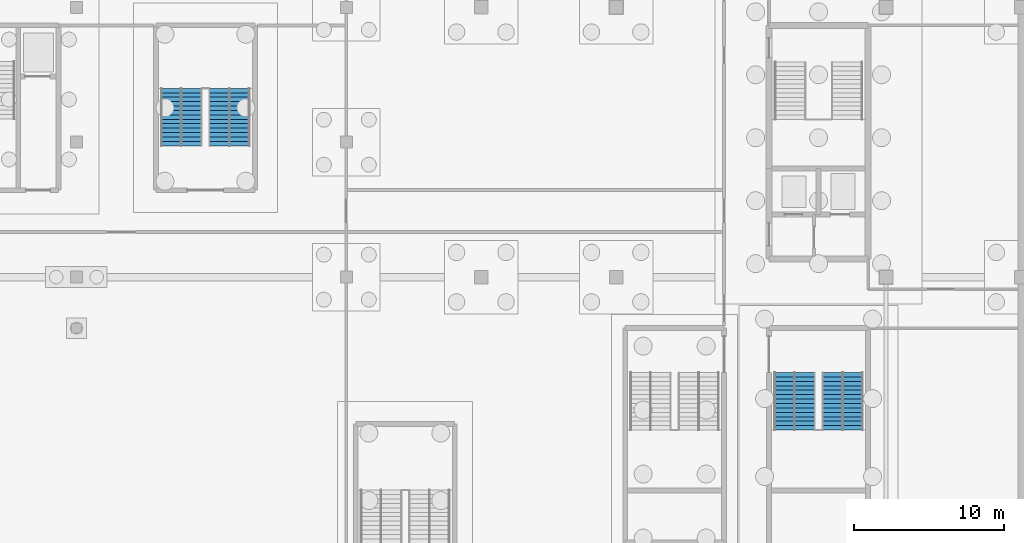
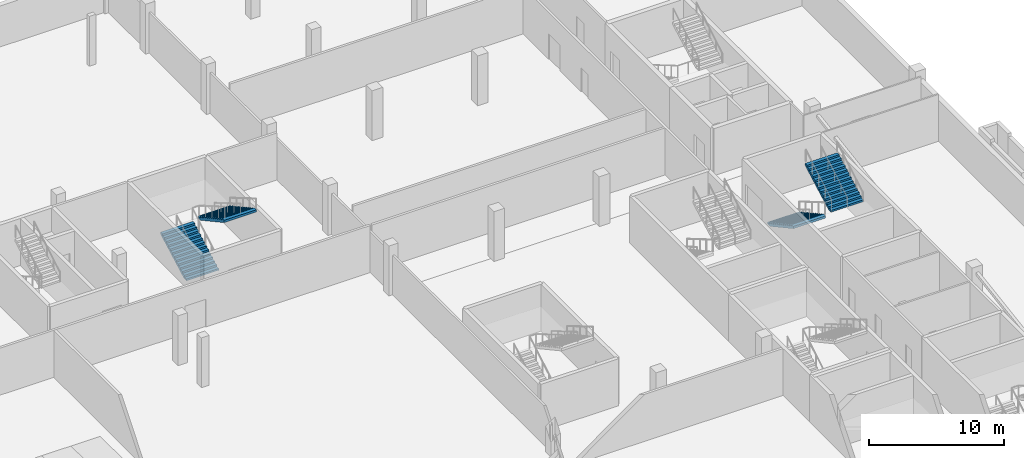
# One storey, part 38 of 46: 4 stair flights, 2 elements without a shape of their own.
"""IFC4 building model written with IfcOpenShell, lengths in metres."""

from ifc_helpers import new_model, si_unit, direction, frame, origin, place, context, subcontext, project, spatial, polygons, material, type_object, element, aggregate, save


model = new_model("IFC4")

# Units and contexts
model_context = context("Model", 3, precision=1e-05, world=origin(), true_north=direction((0.0, 1.0)))
body_context = subcontext(model_context, "Body", "Model", "MODEL_VIEW")
ifc_project = project(units=[si_unit("LENGTHUNIT", "METRE"), si_unit("AREAUNIT", "SQUARE_METRE"), si_unit("VOLUMEUNIT", "CUBIC_METRE"), si_unit("PLANEANGLEUNIT", "RADIAN"), si_unit("MASSUNIT", "GRAM", prefix="KILO")], contexts=[model_context])

# Site, building, storey
site_placement = place(None, origin())
site = spatial("IfcSite", under=ifc_project, at=site_placement, CompositionType="ELEMENT")
building_placement = place(site_placement, origin())
building = spatial("IfcBuilding", under=site, at=building_placement, Name="Kisiwana Market Hall", CompositionType="ELEMENT")
storey_placement = place(building_placement, frame((0.0, 0.0, -4.5)))
storey = spatial("IfcBuildingStorey", under=building, at=storey_placement, Name="B1", CompositionType="ELEMENT", Elevation=-4.5)

# Stair, stair flights
ifc_material_1 = material(Name="Concrete C32/40", Category="concrete")
stair_type = type_object("IfcStairType", Name="ST-ESC-4500", PredefinedType="TWO_STRAIGHT_RUN_STAIR", material=ifc_material_1)
stair_1_placement = place(storey_placement, origin())
stair_1 = element("IfcStair", 1, at=stair_1_placement, inside=storey, type_object=stair_type, Name="Escape stair ST-E4-B1", PredefinedType="TWO_STRAIGHT_RUN_STAIR")
ifc_material_2 = material(Name="Concrete C32/40", Category="concrete")
stair_flight_type = type_object("IfcStairFlightType", Name="SF-ESC-4500", PredefinedType="STRAIGHT", material=ifc_material_2)
stair_flight_1_placement = place(storey_placement, frame((182.889892578125, 77.639892578125, 0.0), z_axis=(0.0, 0.0, 1.0), x_axis=(0.0, -1.0, 0.0)))
stair_flight_1 = element("IfcStairFlight", 2, at=stair_flight_1_placement, type_object=stair_flight_type, Name="ST-E4-B1 flight 1", NumberOfRisers=14, NumberOfTreads=13, PredefinedType="STRAIGHT", RiserHeight=0.160714, TreadLength=0.295, context=body_context, shape_type="Tessellation", body=[
    polygons([(0.0, -1.380127, 0.0), (0.0, -0.690125, 0.0), (0.0, -0.000122, 0.0), (0.0, 0.68988, 0.0), (0.0, 1.379883, 0.0), (0.0, -1.380127, 0.160645), (0.0, -0.690125, 0.160645), (0.0, -0.000122, 0.160645), (0.0, 0.68988, 0.160645), (0.0, 1.379883, 0.160645), (0.294922, -1.380127, 0.160645), (0.294922, -0.690125, 0.160645), (0.294922, -0.000122, 0.160645), (0.294922, 0.68988, 0.160645), (0.294922, 1.379883, 0.160645), (0.294922, -1.380127, 0.321533), (0.294922, -0.690125, 0.321533), (0.294922, -0.000122, 0.321533), (0.294922, 0.68988, 0.321533), (0.294922, 1.379883, 0.321533), (0.590088, -1.380127, 0.321533), (0.590088, -0.690125, 0.321533), (0.590088, -0.000122, 0.321533), (0.590088, 0.68988, 0.321533), (0.590088, 1.379883, 0.321533), (0.590088, -1.380127, 0.482178), (0.590088, -0.690125, 0.482178), (0.590088, -0.000122, 0.482178), (0.590088, 0.68988, 0.482178), (0.590088, 1.379883, 0.482178), (0.88501, -1.380127, 0.482178), (0.88501, -0.690125, 0.482178), (0.88501, -0.000122, 0.482178), (0.88501, 0.68988, 0.482178), (0.88501, 1.379883, 0.482178), (0.88501, -1.380127, 0.642822), (0.88501, -0.690125, 0.642822), (0.88501, -0.000122, 0.642822), (0.88501, 0.68988, 0.642822), (0.88501, 1.379883, 0.642822), (1.179932, -1.380127, 0.642822), (1.179932, -0.690125, 0.642822), (1.179932, -0.000122, 0.642822), (1.179932, 0.68988, 0.642822), (1.179932, 1.379883, 0.642822), (1.179932, -1.380127, 0.803467), (1.179932, -0.690125, 0.803467), (1.179932, -0.000122, 0.803467), (1.179932, 0.68988, 0.803467), (1.179932, 1.379883, 0.803467), (1.475098, -1.380127, 0.803467), (1.475098, -0.690125, 0.803467), (1.475098, -0.000122, 0.803467), (1.475098, 0.68988, 0.803467), (1.475098, 1.379883, 0.803467), (1.475098, -1.380127, 0.964355), (1.475098, -0.690125, 0.964355), (1.475098, -0.000122, 0.964355), (1.475098, 0.68988, 0.964355), (1.475098, 1.379883, 0.964355), (1.77002, -1.380127, 0.964355), (1.77002, -0.690125, 0.964355), (1.77002, -0.000122, 0.964355), (1.77002, 0.68988, 0.964355), (1.77002, 1.379883, 0.964355), (1.77002, -1.380127, 1.125), (1.77002, -0.690125, 1.125), (1.77002, -0.000122, 1.125), (1.77002, 0.68988, 1.125), (1.77002, 1.379883, 1.125), (2.064941, -1.380127, 1.125), (2.064941, -0.690125, 1.125), (2.064941, -0.000122, 1.125), (2.064941, 0.68988, 1.125), (2.064941, 1.379883, 1.125), (2.064941, -1.380127, 1.285645), (2.064941, -0.690125, 1.285645), (2.064941, -0.000122, 1.285645), (2.064941, 0.68988, 1.285645), (2.064941, 1.379883, 1.285645), (2.360107, -1.380127, 1.285645), (2.360107, -0.690125, 1.285645), (2.360107, -0.000122, 1.285645), (2.360107, 0.68988, 1.285645), (2.360107, 1.379883, 1.285645), (2.360107, -1.380127, 1.446533), (2.360107, -0.690125, 1.446533), (2.360107, -0.000122, 1.446533), (2.360107, 0.68988, 1.446533), (2.360107, 1.379883, 1.446533), (2.655029, -1.380127, 1.446533), (2.655029, -0.690125, 1.446533), (2.655029, -0.000122, 1.446533), (2.655029, 0.68988, 1.446533), (2.655029, 1.379883, 1.446533), (2.655029, -1.380127, 1.607178), (2.655029, -0.690125, 1.607178), (2.655029, -0.000122, 1.607178), (2.655029, 0.68988, 1.607178), (2.655029, 1.379883, 1.607178), (2.949951, -1.380127, 1.607178), (2.949951, -0.690125, 1.607178), (2.949951, -0.000122, 1.607178), (2.949951, 0.68988, 1.607178), (2.949951, 1.379883, 1.607178), (2.949951, -1.380127, 1.767822), (2.949951, -0.690125, 1.767822), (2.949951, -0.000122, 1.767822), (2.949951, 0.68988, 1.767822), (2.949951, 1.379883, 1.767822), (3.245117, -1.380127, 1.767822), (3.245117, -0.690125, 1.767822), (3.245117, -0.000122, 1.767822), (3.245117, 0.68988, 1.767822), (3.245117, 1.379883, 1.767822), (3.245117, -1.380127, 1.928467), (3.245117, -0.690125, 1.928467), (3.245117, -0.000122, 1.928467), (3.245117, 0.68988, 1.928467), (3.245117, 1.379883, 1.928467), (3.540039, -1.380127, 1.928467), (3.540039, -0.690125, 1.928467), (3.540039, -0.000122, 1.928467), (3.540039, 0.68988, 1.928467), (3.540039, 1.379883, 1.928467), (3.540039, -1.380127, 2.089355), (3.540039, -0.690125, 2.089355), (3.540039, -0.000122, 2.089355), (3.540039, 0.68988, 2.089355), (3.540039, 1.379883, 2.089355), (3.834961, -1.380127, 2.089355), (3.834961, -0.690125, 2.089355), (3.834961, -0.000122, 2.089355), (3.834961, 0.68988, 2.089355), (3.834961, 1.379883, 2.089355), (3.834961, -1.380127, 1.884277), (3.834961, -0.690125, 1.884277), (3.834961, -0.000122, 1.884277), (3.834961, 0.68988, 1.884277), (3.834961, 1.379883, 1.884277), (0.376221, -1.380127, 0.0), (0.376221, -0.690125, 0.0), (0.376221, -0.000122, 0.0), (0.376221, 0.68988, 0.0), (0.376221, 1.379883, 0.0)], [[[1, 6, 7, 2]], [[2, 7, 8, 3]], [[3, 8, 9, 4]], [[4, 9, 10, 5]], [[6, 11, 12, 7]], [[7, 12, 13, 8]], [[8, 13, 14, 9]], [[9, 14, 15, 10]], [[11, 16, 17, 12]], [[12, 17, 18, 13]], [[13, 18, 19, 14]], [[14, 19, 20, 15]], [[16, 21, 22, 17]], [[17, 22, 23, 18]], [[18, 23, 24, 19]], [[19, 24, 25, 20]], [[21, 26, 27, 22]], [[22, 27, 28, 23]], [[23, 28, 29, 24]], [[24, 29, 30, 25]], [[26, 31, 32, 27]], [[27, 32, 33, 28]], [[28, 33, 34, 29]], [[29, 34, 35, 30]], [[31, 36, 37, 32]], [[32, 37, 38, 33]], [[33, 38, 39, 34]], [[34, 39, 40, 35]], [[36, 41, 42, 37]], [[37, 42, 43, 38]], [[38, 43, 44, 39]], [[39, 44, 45, 40]], [[41, 46, 47, 42]], [[42, 47, 48, 43]], [[43, 48, 49, 44]], [[44, 49, 50, 45]], [[46, 51, 52, 47]], [[47, 52, 53, 48]], [[48, 53, 54, 49]], [[49, 54, 55, 50]], [[51, 56, 57, 52]], [[52, 57, 58, 53]], [[53, 58, 59, 54]], [[54, 59, 60, 55]], [[56, 61, 62, 57]], [[57, 62, 63, 58]], [[58, 63, 64, 59]], [[59, 64, 65, 60]], [[61, 66, 67, 62]], [[62, 67, 68, 63]], [[63, 68, 69, 64]], [[64, 69, 70, 65]], [[66, 71, 72, 67]], [[67, 72, 73, 68]], [[68, 73, 74, 69]], [[69, 74, 75, 70]], [[71, 76, 77, 72]], [[72, 77, 78, 73]], [[73, 78, 79, 74]], [[74, 79, 80, 75]], [[76, 81, 82, 77]], [[77, 82, 83, 78]], [[78, 83, 84, 79]], [[79, 84, 85, 80]], [[81, 86, 87, 82]], [[82, 87, 88, 83]], [[83, 88, 89, 84]], [[84, 89, 90, 85]], [[86, 91, 92, 87]], [[87, 92, 93, 88]], [[88, 93, 94, 89]], [[89, 94, 95, 90]], [[91, 96, 97, 92]], [[92, 97, 98, 93]], [[93, 98, 99, 94]], [[94, 99, 100, 95]], [[96, 101, 102, 97]], [[97, 102, 103, 98]], [[98, 103, 104, 99]], [[99, 104, 105, 100]], [[101, 106, 107, 102]], [[102, 107, 108, 103]], [[103, 108, 109, 104]], [[104, 109, 110, 105]], [[106, 111, 112, 107]], [[107, 112, 113, 108]], [[108, 113, 114, 109]], [[109, 114, 115, 110]], [[111, 116, 117, 112]], [[112, 117, 118, 113]], [[113, 118, 119, 114]], [[114, 119, 120, 115]], [[116, 121, 122, 117]], [[117, 122, 123, 118]], [[118, 123, 124, 119]], [[119, 124, 125, 120]], [[121, 126, 127, 122]], [[122, 127, 128, 123]], [[123, 128, 129, 124]], [[124, 129, 130, 125]], [[126, 131, 132, 127]], [[127, 132, 133, 128]], [[128, 133, 134, 129]], [[129, 134, 135, 130]], [[131, 136, 137, 132]], [[132, 137, 138, 133]], [[133, 138, 139, 134]], [[134, 139, 140, 135]], [[136, 141, 142, 137]], [[137, 142, 143, 138]], [[138, 143, 144, 139]], [[139, 144, 145, 140]], [[141, 1, 2, 142]], [[142, 2, 3, 143]], [[143, 3, 4, 144]], [[144, 4, 5, 145]], [[141, 136, 131, 126, 121, 116, 111, 106, 101, 96, 91, 86, 81, 76, 71, 66, 61, 56, 51, 46, 41, 36, 31, 26, 21, 16, 11, 6, 1]], [[5, 10, 15, 20, 25, 30, 35, 40, 45, 50, 55, 60, 65, 70, 75, 80, 85, 90, 95, 100, 105, 110, 115, 120, 125, 130, 135, 140, 145]]], closed=True),
])
stair_flight_2_placement = place(storey_placement, frame((186.110107421875, 73.804931640625, 2.25), z_axis=(0.0, 0.0, 1.0), x_axis=(0.0, 1.0, 0.0)))
stair_flight_2 = element("IfcStairFlight", 3, at=stair_flight_2_placement, type_object=stair_flight_type, Name="ST-E4-B1 flight 2", NumberOfRisers=14, NumberOfTreads=13, PredefinedType="STRAIGHT", RiserHeight=0.160714, TreadLength=0.295, context=body_context, shape_type="Tessellation", body=[
    polygons([(0.0, -1.380127, 0.0), (0.0, -0.690125, 0.0), (0.0, -0.000122, 0.0), (0.0, 0.68988, 0.0), (0.0, 1.379883, 0.0), (0.0, -1.380127, 0.160645), (0.0, -0.690125, 0.160645), (0.0, -0.000122, 0.160645), (0.0, 0.68988, 0.160645), (0.0, 1.379883, 0.160645), (0.294922, -1.380127, 0.160645), (0.294922, -0.690125, 0.160645), (0.294922, -0.000122, 0.160645), (0.294922, 0.68988, 0.160645), (0.294922, 1.379883, 0.160645), (0.294922, -1.380127, 0.321533), (0.294922, -0.690125, 0.321533), (0.294922, -0.000122, 0.321533), (0.294922, 0.68988, 0.321533), (0.294922, 1.379883, 0.321533), (0.590088, -1.380127, 0.321533), (0.590088, -0.690125, 0.321533), (0.590088, -0.000122, 0.321533), (0.590088, 0.68988, 0.321533), (0.590088, 1.379883, 0.321533), (0.590088, -1.380127, 0.482178), (0.590088, -0.690125, 0.482178), (0.590088, -0.000122, 0.482178), (0.590088, 0.68988, 0.482178), (0.590088, 1.379883, 0.482178), (0.88501, -1.380127, 0.482178), (0.88501, -0.690125, 0.482178), (0.88501, -0.000122, 0.482178), (0.88501, 0.68988, 0.482178), (0.88501, 1.379883, 0.482178), (0.88501, -1.380127, 0.642822), (0.88501, -0.690125, 0.642822), (0.88501, -0.000122, 0.642822), (0.88501, 0.68988, 0.642822), (0.88501, 1.379883, 0.642822), (1.179932, -1.380127, 0.642822), (1.179932, -0.690125, 0.642822), (1.179932, -0.000122, 0.642822), (1.179932, 0.68988, 0.642822), (1.179932, 1.379883, 0.642822), (1.179932, -1.380127, 0.803467), (1.179932, -0.690125, 0.803467), (1.179932, -0.000122, 0.803467), (1.179932, 0.68988, 0.803467), (1.179932, 1.379883, 0.803467), (1.475098, -1.380127, 0.803467), (1.475098, -0.690125, 0.803467), (1.475098, -0.000122, 0.803467), (1.475098, 0.68988, 0.803467), (1.475098, 1.379883, 0.803467), (1.475098, -1.380127, 0.964355), (1.475098, -0.690125, 0.964355), (1.475098, -0.000122, 0.964355), (1.475098, 0.68988, 0.964355), (1.475098, 1.379883, 0.964355), (1.77002, -1.380127, 0.964355), (1.77002, -0.690125, 0.964355), (1.77002, -0.000122, 0.964355), (1.77002, 0.68988, 0.964355), (1.77002, 1.379883, 0.964355), (1.77002, -1.380127, 1.125), (1.77002, -0.690125, 1.125), (1.77002, -0.000122, 1.125), (1.77002, 0.68988, 1.125), (1.77002, 1.379883, 1.125), (2.064941, -1.380127, 1.125), (2.064941, -0.690125, 1.125), (2.064941, -0.000122, 1.125), (2.064941, 0.68988, 1.125), (2.064941, 1.379883, 1.125), (2.064941, -1.380127, 1.285645), (2.064941, -0.690125, 1.285645), (2.064941, -0.000122, 1.285645), (2.064941, 0.68988, 1.285645), (2.064941, 1.379883, 1.285645), (2.360107, -1.380127, 1.285645), (2.360107, -0.690125, 1.285645), (2.360107, -0.000122, 1.285645), (2.360107, 0.68988, 1.285645), (2.360107, 1.379883, 1.285645), (2.360107, -1.380127, 1.446533), (2.360107, -0.690125, 1.446533), (2.360107, -0.000122, 1.446533), (2.360107, 0.68988, 1.446533), (2.360107, 1.379883, 1.446533), (2.655029, -1.380127, 1.446533), (2.655029, -0.690125, 1.446533), (2.655029, -0.000122, 1.446533), (2.655029, 0.68988, 1.446533), (2.655029, 1.379883, 1.446533), (2.655029, -1.380127, 1.607178), (2.655029, -0.690125, 1.607178), (2.655029, -0.000122, 1.607178), (2.655029, 0.68988, 1.607178), (2.655029, 1.379883, 1.607178), (2.949951, -1.380127, 1.607178), (2.949951, -0.690125, 1.607178), (2.949951, -0.000122, 1.607178), (2.949951, 0.68988, 1.607178), (2.949951, 1.379883, 1.607178), (2.949951, -1.380127, 1.767822), (2.949951, -0.690125, 1.767822), (2.949951, -0.000122, 1.767822), (2.949951, 0.68988, 1.767822), (2.949951, 1.379883, 1.767822), (3.245117, -1.380127, 1.767822), (3.245117, -0.690125, 1.767822), (3.245117, -0.000122, 1.767822), (3.245117, 0.68988, 1.767822), (3.245117, 1.379883, 1.767822), (3.245117, -1.380127, 1.928467), (3.245117, -0.690125, 1.928467), (3.245117, -0.000122, 1.928467), (3.245117, 0.68988, 1.928467), (3.245117, 1.379883, 1.928467), (3.540039, -1.380127, 1.928467), (3.540039, -0.690125, 1.928467), (3.540039, -0.000122, 1.928467), (3.540039, 0.68988, 1.928467), (3.540039, 1.379883, 1.928467), (3.540039, -1.380127, 2.089355), (3.540039, -0.690125, 2.089355), (3.540039, -0.000122, 2.089355), (3.540039, 0.68988, 2.089355), (3.540039, 1.379883, 2.089355), (3.834961, -1.380127, 2.089355), (3.834961, -0.690125, 2.089355), (3.834961, -0.000122, 2.089355), (3.834961, 0.68988, 2.089355), (3.834961, 1.379883, 2.089355), (3.834961, -1.380127, 1.884277), (3.834961, -0.690125, 1.884277), (3.834961, -0.000122, 1.884277), (3.834961, 0.68988, 1.884277), (3.834961, 1.379883, 1.884277), (0.376221, -1.380127, 0.0), (0.376221, -0.690125, 0.0), (0.376221, -0.000122, 0.0), (0.376221, 0.68988, 0.0), (0.376221, 1.379883, 0.0)], [[[1, 6, 7, 2]], [[2, 7, 8, 3]], [[3, 8, 9, 4]], [[4, 9, 10, 5]], [[6, 11, 12, 7]], [[7, 12, 13, 8]], [[8, 13, 14, 9]], [[9, 14, 15, 10]], [[11, 16, 17, 12]], [[12, 17, 18, 13]], [[13, 18, 19, 14]], [[14, 19, 20, 15]], [[16, 21, 22, 17]], [[17, 22, 23, 18]], [[18, 23, 24, 19]], [[19, 24, 25, 20]], [[21, 26, 27, 22]], [[22, 27, 28, 23]], [[23, 28, 29, 24]], [[24, 29, 30, 25]], [[26, 31, 32, 27]], [[27, 32, 33, 28]], [[28, 33, 34, 29]], [[29, 34, 35, 30]], [[31, 36, 37, 32]], [[32, 37, 38, 33]], [[33, 38, 39, 34]], [[34, 39, 40, 35]], [[36, 41, 42, 37]], [[37, 42, 43, 38]], [[38, 43, 44, 39]], [[39, 44, 45, 40]], [[41, 46, 47, 42]], [[42, 47, 48, 43]], [[43, 48, 49, 44]], [[44, 49, 50, 45]], [[46, 51, 52, 47]], [[47, 52, 53, 48]], [[48, 53, 54, 49]], [[49, 54, 55, 50]], [[51, 56, 57, 52]], [[52, 57, 58, 53]], [[53, 58, 59, 54]], [[54, 59, 60, 55]], [[56, 61, 62, 57]], [[57, 62, 63, 58]], [[58, 63, 64, 59]], [[59, 64, 65, 60]], [[61, 66, 67, 62]], [[62, 67, 68, 63]], [[63, 68, 69, 64]], [[64, 69, 70, 65]], [[66, 71, 72, 67]], [[67, 72, 73, 68]], [[68, 73, 74, 69]], [[69, 74, 75, 70]], [[71, 76, 77, 72]], [[72, 77, 78, 73]], [[73, 78, 79, 74]], [[74, 79, 80, 75]], [[76, 81, 82, 77]], [[77, 82, 83, 78]], [[78, 83, 84, 79]], [[79, 84, 85, 80]], [[81, 86, 87, 82]], [[82, 87, 88, 83]], [[83, 88, 89, 84]], [[84, 89, 90, 85]], [[86, 91, 92, 87]], [[87, 92, 93, 88]], [[88, 93, 94, 89]], [[89, 94, 95, 90]], [[91, 96, 97, 92]], [[92, 97, 98, 93]], [[93, 98, 99, 94]], [[94, 99, 100, 95]], [[96, 101, 102, 97]], [[97, 102, 103, 98]], [[98, 103, 104, 99]], [[99, 104, 105, 100]], [[101, 106, 107, 102]], [[102, 107, 108, 103]], [[103, 108, 109, 104]], [[104, 109, 110, 105]], [[106, 111, 112, 107]], [[107, 112, 113, 108]], [[108, 113, 114, 109]], [[109, 114, 115, 110]], [[111, 116, 117, 112]], [[112, 117, 118, 113]], [[113, 118, 119, 114]], [[114, 119, 120, 115]], [[116, 121, 122, 117]], [[117, 122, 123, 118]], [[118, 123, 124, 119]], [[119, 124, 125, 120]], [[121, 126, 127, 122]], [[122, 127, 128, 123]], [[123, 128, 129, 124]], [[124, 129, 130, 125]], [[126, 131, 132, 127]], [[127, 132, 133, 128]], [[128, 133, 134, 129]], [[129, 134, 135, 130]], [[131, 136, 137, 132]], [[132, 137, 138, 133]], [[133, 138, 139, 134]], [[134, 139, 140, 135]], [[136, 141, 142, 137]], [[137, 142, 143, 138]], [[138, 143, 144, 139]], [[139, 144, 145, 140]], [[141, 1, 2, 142]], [[142, 2, 3, 143]], [[143, 3, 4, 144]], [[144, 4, 5, 145]], [[141, 136, 131, 126, 121, 116, 111, 106, 101, 96, 91, 86, 81, 76, 71, 66, 61, 56, 51, 46, 41, 36, 31, 26, 21, 16, 11, 6, 1]], [[5, 10, 15, 20, 25, 30, 35, 40, 45, 50, 55, 60, 65, 70, 75, 80, 85, 90, 95, 100, 105, 110, 115, 120, 125, 130, 135, 140, 145]]], closed=True),
])
aggregate(stair_1, [stair_flight_1, stair_flight_2])

stair_2_placement = place(storey_placement, origin())
stair_2 = element("IfcStair", 4, at=stair_2_placement, inside=storey, type_object=stair_type, Name="Escape stair ST-N6-B1", PredefinedType="TWO_STRAIGHT_RUN_STAIR")
stair_flight_3_placement = place(storey_placement, frame((141.989990234375, 92.760009765625, 0.0), z_axis=(0.0, 0.0, 1.0), x_axis=(0.0, 1.0, 0.0)))
stair_flight_3 = element("IfcStairFlight", 5, at=stair_flight_3_placement, type_object=stair_flight_type, Name="ST-N6-B1 flight 1", NumberOfRisers=14, NumberOfTreads=13, PredefinedType="STRAIGHT", RiserHeight=0.160714, TreadLength=0.295, context=body_context, shape_type="Tessellation", body=[
    polygons([(0.0, -1.380127, 0.0), (0.0, -0.690125, 0.0), (0.0, -0.000122, 0.0), (0.0, 0.68988, 0.0), (0.0, 1.379883, 0.0), (0.0, -1.380127, 0.160645), (0.0, -0.690125, 0.160645), (0.0, -0.000122, 0.160645), (0.0, 0.68988, 0.160645), (0.0, 1.379883, 0.160645), (0.294922, -1.380127, 0.160645), (0.294922, -0.690125, 0.160645), (0.294922, -0.000122, 0.160645), (0.294922, 0.68988, 0.160645), (0.294922, 1.379883, 0.160645), (0.294922, -1.380127, 0.321533), (0.294922, -0.690125, 0.321533), (0.294922, -0.000122, 0.321533), (0.294922, 0.68988, 0.321533), (0.294922, 1.379883, 0.321533), (0.590088, -1.380127, 0.321533), (0.590088, -0.690125, 0.321533), (0.590088, -0.000122, 0.321533), (0.590088, 0.68988, 0.321533), (0.590088, 1.379883, 0.321533), (0.590088, -1.380127, 0.482178), (0.590088, -0.690125, 0.482178), (0.590088, -0.000122, 0.482178), (0.590088, 0.68988, 0.482178), (0.590088, 1.379883, 0.482178), (0.88501, -1.380127, 0.482178), (0.88501, -0.690125, 0.482178), (0.88501, -0.000122, 0.482178), (0.88501, 0.68988, 0.482178), (0.88501, 1.379883, 0.482178), (0.88501, -1.380127, 0.642822), (0.88501, -0.690125, 0.642822), (0.88501, -0.000122, 0.642822), (0.88501, 0.68988, 0.642822), (0.88501, 1.379883, 0.642822), (1.179932, -1.380127, 0.642822), (1.179932, -0.690125, 0.642822), (1.179932, -0.000122, 0.642822), (1.179932, 0.68988, 0.642822), (1.179932, 1.379883, 0.642822), (1.179932, -1.380127, 0.803467), (1.179932, -0.690125, 0.803467), (1.179932, -0.000122, 0.803467), (1.179932, 0.68988, 0.803467), (1.179932, 1.379883, 0.803467), (1.475098, -1.380127, 0.803467), (1.475098, -0.690125, 0.803467), (1.475098, -0.000122, 0.803467), (1.475098, 0.68988, 0.803467), (1.475098, 1.379883, 0.803467), (1.475098, -1.380127, 0.964355), (1.475098, -0.690125, 0.964355), (1.475098, -0.000122, 0.964355), (1.475098, 0.68988, 0.964355), (1.475098, 1.379883, 0.964355), (1.77002, -1.380127, 0.964355), (1.77002, -0.690125, 0.964355), (1.77002, -0.000122, 0.964355), (1.77002, 0.68988, 0.964355), (1.77002, 1.379883, 0.964355), (1.77002, -1.380127, 1.125), (1.77002, -0.690125, 1.125), (1.77002, -0.000122, 1.125), (1.77002, 0.68988, 1.125), (1.77002, 1.379883, 1.125), (2.064941, -1.380127, 1.125), (2.064941, -0.690125, 1.125), (2.064941, -0.000122, 1.125), (2.064941, 0.68988, 1.125), (2.064941, 1.379883, 1.125), (2.064941, -1.380127, 1.285645), (2.064941, -0.690125, 1.285645), (2.064941, -0.000122, 1.285645), (2.064941, 0.68988, 1.285645), (2.064941, 1.379883, 1.285645), (2.360107, -1.380127, 1.285645), (2.360107, -0.690125, 1.285645), (2.360107, -0.000122, 1.285645), (2.360107, 0.68988, 1.285645), (2.360107, 1.379883, 1.285645), (2.360107, -1.380127, 1.446533), (2.360107, -0.690125, 1.446533), (2.360107, -0.000122, 1.446533), (2.360107, 0.68988, 1.446533), (2.360107, 1.379883, 1.446533), (2.655029, -1.380127, 1.446533), (2.655029, -0.690125, 1.446533), (2.655029, -0.000122, 1.446533), (2.655029, 0.68988, 1.446533), (2.655029, 1.379883, 1.446533), (2.655029, -1.380127, 1.607178), (2.655029, -0.690125, 1.607178), (2.655029, -0.000122, 1.607178), (2.655029, 0.68988, 1.607178), (2.655029, 1.379883, 1.607178), (2.949951, -1.380127, 1.607178), (2.949951, -0.690125, 1.607178), (2.949951, -0.000122, 1.607178), (2.949951, 0.68988, 1.607178), (2.949951, 1.379883, 1.607178), (2.949951, -1.380127, 1.767822), (2.949951, -0.690125, 1.767822), (2.949951, -0.000122, 1.767822), (2.949951, 0.68988, 1.767822), (2.949951, 1.379883, 1.767822), (3.245117, -1.380127, 1.767822), (3.245117, -0.690125, 1.767822), (3.245117, -0.000122, 1.767822), (3.245117, 0.68988, 1.767822), (3.245117, 1.379883, 1.767822), (3.245117, -1.380127, 1.928467), (3.245117, -0.690125, 1.928467), (3.245117, -0.000122, 1.928467), (3.245117, 0.68988, 1.928467), (3.245117, 1.379883, 1.928467), (3.540039, -1.380127, 1.928467), (3.540039, -0.690125, 1.928467), (3.540039, -0.000122, 1.928467), (3.540039, 0.68988, 1.928467), (3.540039, 1.379883, 1.928467), (3.540039, -1.380127, 2.089355), (3.540039, -0.690125, 2.089355), (3.540039, -0.000122, 2.089355), (3.540039, 0.68988, 2.089355), (3.540039, 1.379883, 2.089355), (3.834961, -1.380127, 2.089355), (3.834961, -0.690125, 2.089355), (3.834961, -0.000122, 2.089355), (3.834961, 0.68988, 2.089355), (3.834961, 1.379883, 2.089355), (3.834961, -1.380127, 1.884277), (3.834961, -0.690125, 1.884277), (3.834961, -0.000122, 1.884277), (3.834961, 0.68988, 1.884277), (3.834961, 1.379883, 1.884277), (0.376221, -1.380127, 0.0), (0.376221, -0.690125, 0.0), (0.376221, -0.000122, 0.0), (0.376221, 0.68988, 0.0), (0.376221, 1.379883, 0.0)], [[[1, 6, 7, 2]], [[2, 7, 8, 3]], [[3, 8, 9, 4]], [[4, 9, 10, 5]], [[6, 11, 12, 7]], [[7, 12, 13, 8]], [[8, 13, 14, 9]], [[9, 14, 15, 10]], [[11, 16, 17, 12]], [[12, 17, 18, 13]], [[13, 18, 19, 14]], [[14, 19, 20, 15]], [[16, 21, 22, 17]], [[17, 22, 23, 18]], [[18, 23, 24, 19]], [[19, 24, 25, 20]], [[21, 26, 27, 22]], [[22, 27, 28, 23]], [[23, 28, 29, 24]], [[24, 29, 30, 25]], [[26, 31, 32, 27]], [[27, 32, 33, 28]], [[28, 33, 34, 29]], [[29, 34, 35, 30]], [[31, 36, 37, 32]], [[32, 37, 38, 33]], [[33, 38, 39, 34]], [[34, 39, 40, 35]], [[36, 41, 42, 37]], [[37, 42, 43, 38]], [[38, 43, 44, 39]], [[39, 44, 45, 40]], [[41, 46, 47, 42]], [[42, 47, 48, 43]], [[43, 48, 49, 44]], [[44, 49, 50, 45]], [[46, 51, 52, 47]], [[47, 52, 53, 48]], [[48, 53, 54, 49]], [[49, 54, 55, 50]], [[51, 56, 57, 52]], [[52, 57, 58, 53]], [[53, 58, 59, 54]], [[54, 59, 60, 55]], [[56, 61, 62, 57]], [[57, 62, 63, 58]], [[58, 63, 64, 59]], [[59, 64, 65, 60]], [[61, 66, 67, 62]], [[62, 67, 68, 63]], [[63, 68, 69, 64]], [[64, 69, 70, 65]], [[66, 71, 72, 67]], [[67, 72, 73, 68]], [[68, 73, 74, 69]], [[69, 74, 75, 70]], [[71, 76, 77, 72]], [[72, 77, 78, 73]], [[73, 78, 79, 74]], [[74, 79, 80, 75]], [[76, 81, 82, 77]], [[77, 82, 83, 78]], [[78, 83, 84, 79]], [[79, 84, 85, 80]], [[81, 86, 87, 82]], [[82, 87, 88, 83]], [[83, 88, 89, 84]], [[84, 89, 90, 85]], [[86, 91, 92, 87]], [[87, 92, 93, 88]], [[88, 93, 94, 89]], [[89, 94, 95, 90]], [[91, 96, 97, 92]], [[92, 97, 98, 93]], [[93, 98, 99, 94]], [[94, 99, 100, 95]], [[96, 101, 102, 97]], [[97, 102, 103, 98]], [[98, 103, 104, 99]], [[99, 104, 105, 100]], [[101, 106, 107, 102]], [[102, 107, 108, 103]], [[103, 108, 109, 104]], [[104, 109, 110, 105]], [[106, 111, 112, 107]], [[107, 112, 113, 108]], [[108, 113, 114, 109]], [[109, 114, 115, 110]], [[111, 116, 117, 112]], [[112, 117, 118, 113]], [[113, 118, 119, 114]], [[114, 119, 120, 115]], [[116, 121, 122, 117]], [[117, 122, 123, 118]], [[118, 123, 124, 119]], [[119, 124, 125, 120]], [[121, 126, 127, 122]], [[122, 127, 128, 123]], [[123, 128, 129, 124]], [[124, 129, 130, 125]], [[126, 131, 132, 127]], [[127, 132, 133, 128]], [[128, 133, 134, 129]], [[129, 134, 135, 130]], [[131, 136, 137, 132]], [[132, 137, 138, 133]], [[133, 138, 139, 134]], [[134, 139, 140, 135]], [[136, 141, 142, 137]], [[137, 142, 143, 138]], [[138, 143, 144, 139]], [[139, 144, 145, 140]], [[141, 1, 2, 142]], [[142, 2, 3, 143]], [[143, 3, 4, 144]], [[144, 4, 5, 145]], [[141, 136, 131, 126, 121, 116, 111, 106, 101, 96, 91, 86, 81, 76, 71, 66, 61, 56, 51, 46, 41, 36, 31, 26, 21, 16, 11, 6, 1]], [[5, 10, 15, 20, 25, 30, 35, 40, 45, 50, 55, 60, 65, 70, 75, 80, 85, 90, 95, 100, 105, 110, 115, 120, 125, 130, 135, 140, 145]]], closed=True),
])
stair_flight_4_placement = place(storey_placement, frame((145.2099609375, 96.594970703125, 2.25), z_axis=(0.0, 0.0, 1.0), x_axis=(0.0, -1.0, 0.0)))
stair_flight_4 = element("IfcStairFlight", 6, at=stair_flight_4_placement, type_object=stair_flight_type, Name="ST-N6-B1 flight 2", NumberOfRisers=14, NumberOfTreads=13, PredefinedType="STRAIGHT", RiserHeight=0.160714, TreadLength=0.295, context=body_context, shape_type="Tessellation", body=[
    polygons([(0.0, -1.380127, 0.0), (0.0, -0.690125, 0.0), (0.0, -0.000122, 0.0), (0.0, 0.68988, 0.0), (0.0, 1.379883, 0.0), (0.0, -1.380127, 0.160645), (0.0, -0.690125, 0.160645), (0.0, -0.000122, 0.160645), (0.0, 0.68988, 0.160645), (0.0, 1.379883, 0.160645), (0.294922, -1.380127, 0.160645), (0.294922, -0.690125, 0.160645), (0.294922, -0.000122, 0.160645), (0.294922, 0.68988, 0.160645), (0.294922, 1.379883, 0.160645), (0.294922, -1.380127, 0.321533), (0.294922, -0.690125, 0.321533), (0.294922, -0.000122, 0.321533), (0.294922, 0.68988, 0.321533), (0.294922, 1.379883, 0.321533), (0.590088, -1.380127, 0.321533), (0.590088, -0.690125, 0.321533), (0.590088, -0.000122, 0.321533), (0.590088, 0.68988, 0.321533), (0.590088, 1.379883, 0.321533), (0.590088, -1.380127, 0.482178), (0.590088, -0.690125, 0.482178), (0.590088, -0.000122, 0.482178), (0.590088, 0.68988, 0.482178), (0.590088, 1.379883, 0.482178), (0.88501, -1.380127, 0.482178), (0.88501, -0.690125, 0.482178), (0.88501, -0.000122, 0.482178), (0.88501, 0.68988, 0.482178), (0.88501, 1.379883, 0.482178), (0.88501, -1.380127, 0.642822), (0.88501, -0.690125, 0.642822), (0.88501, -0.000122, 0.642822), (0.88501, 0.68988, 0.642822), (0.88501, 1.379883, 0.642822), (1.179932, -1.380127, 0.642822), (1.179932, -0.690125, 0.642822), (1.179932, -0.000122, 0.642822), (1.179932, 0.68988, 0.642822), (1.179932, 1.379883, 0.642822), (1.179932, -1.380127, 0.803467), (1.179932, -0.690125, 0.803467), (1.179932, -0.000122, 0.803467), (1.179932, 0.68988, 0.803467), (1.179932, 1.379883, 0.803467), (1.475098, -1.380127, 0.803467), (1.475098, -0.690125, 0.803467), (1.475098, -0.000122, 0.803467), (1.475098, 0.68988, 0.803467), (1.475098, 1.379883, 0.803467), (1.475098, -1.380127, 0.964355), (1.475098, -0.690125, 0.964355), (1.475098, -0.000122, 0.964355), (1.475098, 0.68988, 0.964355), (1.475098, 1.379883, 0.964355), (1.77002, -1.380127, 0.964355), (1.77002, -0.690125, 0.964355), (1.77002, -0.000122, 0.964355), (1.77002, 0.68988, 0.964355), (1.77002, 1.379883, 0.964355), (1.77002, -1.380127, 1.125), (1.77002, -0.690125, 1.125), (1.77002, -0.000122, 1.125), (1.77002, 0.68988, 1.125), (1.77002, 1.379883, 1.125), (2.064941, -1.380127, 1.125), (2.064941, -0.690125, 1.125), (2.064941, -0.000122, 1.125), (2.064941, 0.68988, 1.125), (2.064941, 1.379883, 1.125), (2.064941, -1.380127, 1.285645), (2.064941, -0.690125, 1.285645), (2.064941, -0.000122, 1.285645), (2.064941, 0.68988, 1.285645), (2.064941, 1.379883, 1.285645), (2.360107, -1.380127, 1.285645), (2.360107, -0.690125, 1.285645), (2.360107, -0.000122, 1.285645), (2.360107, 0.68988, 1.285645), (2.360107, 1.379883, 1.285645), (2.360107, -1.380127, 1.446533), (2.360107, -0.690125, 1.446533), (2.360107, -0.000122, 1.446533), (2.360107, 0.68988, 1.446533), (2.360107, 1.379883, 1.446533), (2.655029, -1.380127, 1.446533), (2.655029, -0.690125, 1.446533), (2.655029, -0.000122, 1.446533), (2.655029, 0.68988, 1.446533), (2.655029, 1.379883, 1.446533), (2.655029, -1.380127, 1.607178), (2.655029, -0.690125, 1.607178), (2.655029, -0.000122, 1.607178), (2.655029, 0.68988, 1.607178), (2.655029, 1.379883, 1.607178), (2.949951, -1.380127, 1.607178), (2.949951, -0.690125, 1.607178), (2.949951, -0.000122, 1.607178), (2.949951, 0.68988, 1.607178), (2.949951, 1.379883, 1.607178), (2.949951, -1.380127, 1.767822), (2.949951, -0.690125, 1.767822), (2.949951, -0.000122, 1.767822), (2.949951, 0.68988, 1.767822), (2.949951, 1.379883, 1.767822), (3.245117, -1.380127, 1.767822), (3.245117, -0.690125, 1.767822), (3.245117, -0.000122, 1.767822), (3.245117, 0.68988, 1.767822), (3.245117, 1.379883, 1.767822), (3.245117, -1.380127, 1.928467), (3.245117, -0.690125, 1.928467), (3.245117, -0.000122, 1.928467), (3.245117, 0.68988, 1.928467), (3.245117, 1.379883, 1.928467), (3.540039, -1.380127, 1.928467), (3.540039, -0.690125, 1.928467), (3.540039, -0.000122, 1.928467), (3.540039, 0.68988, 1.928467), (3.540039, 1.379883, 1.928467), (3.540039, -1.380127, 2.089355), (3.540039, -0.690125, 2.089355), (3.540039, -0.000122, 2.089355), (3.540039, 0.68988, 2.089355), (3.540039, 1.379883, 2.089355), (3.834961, -1.380127, 2.089355), (3.834961, -0.690125, 2.089355), (3.834961, -0.000122, 2.089355), (3.834961, 0.68988, 2.089355), (3.834961, 1.379883, 2.089355), (3.834961, -1.380127, 1.884277), (3.834961, -0.690125, 1.884277), (3.834961, -0.000122, 1.884277), (3.834961, 0.68988, 1.884277), (3.834961, 1.379883, 1.884277), (0.376221, -1.380127, 0.0), (0.376221, -0.690125, 0.0), (0.376221, -0.000122, 0.0), (0.376221, 0.68988, 0.0), (0.376221, 1.379883, 0.0)], [[[1, 6, 7, 2]], [[2, 7, 8, 3]], [[3, 8, 9, 4]], [[4, 9, 10, 5]], [[6, 11, 12, 7]], [[7, 12, 13, 8]], [[8, 13, 14, 9]], [[9, 14, 15, 10]], [[11, 16, 17, 12]], [[12, 17, 18, 13]], [[13, 18, 19, 14]], [[14, 19, 20, 15]], [[16, 21, 22, 17]], [[17, 22, 23, 18]], [[18, 23, 24, 19]], [[19, 24, 25, 20]], [[21, 26, 27, 22]], [[22, 27, 28, 23]], [[23, 28, 29, 24]], [[24, 29, 30, 25]], [[26, 31, 32, 27]], [[27, 32, 33, 28]], [[28, 33, 34, 29]], [[29, 34, 35, 30]], [[31, 36, 37, 32]], [[32, 37, 38, 33]], [[33, 38, 39, 34]], [[34, 39, 40, 35]], [[36, 41, 42, 37]], [[37, 42, 43, 38]], [[38, 43, 44, 39]], [[39, 44, 45, 40]], [[41, 46, 47, 42]], [[42, 47, 48, 43]], [[43, 48, 49, 44]], [[44, 49, 50, 45]], [[46, 51, 52, 47]], [[47, 52, 53, 48]], [[48, 53, 54, 49]], [[49, 54, 55, 50]], [[51, 56, 57, 52]], [[52, 57, 58, 53]], [[53, 58, 59, 54]], [[54, 59, 60, 55]], [[56, 61, 62, 57]], [[57, 62, 63, 58]], [[58, 63, 64, 59]], [[59, 64, 65, 60]], [[61, 66, 67, 62]], [[62, 67, 68, 63]], [[63, 68, 69, 64]], [[64, 69, 70, 65]], [[66, 71, 72, 67]], [[67, 72, 73, 68]], [[68, 73, 74, 69]], [[69, 74, 75, 70]], [[71, 76, 77, 72]], [[72, 77, 78, 73]], [[73, 78, 79, 74]], [[74, 79, 80, 75]], [[76, 81, 82, 77]], [[77, 82, 83, 78]], [[78, 83, 84, 79]], [[79, 84, 85, 80]], [[81, 86, 87, 82]], [[82, 87, 88, 83]], [[83, 88, 89, 84]], [[84, 89, 90, 85]], [[86, 91, 92, 87]], [[87, 92, 93, 88]], [[88, 93, 94, 89]], [[89, 94, 95, 90]], [[91, 96, 97, 92]], [[92, 97, 98, 93]], [[93, 98, 99, 94]], [[94, 99, 100, 95]], [[96, 101, 102, 97]], [[97, 102, 103, 98]], [[98, 103, 104, 99]], [[99, 104, 105, 100]], [[101, 106, 107, 102]], [[102, 107, 108, 103]], [[103, 108, 109, 104]], [[104, 109, 110, 105]], [[106, 111, 112, 107]], [[107, 112, 113, 108]], [[108, 113, 114, 109]], [[109, 114, 115, 110]], [[111, 116, 117, 112]], [[112, 117, 118, 113]], [[113, 118, 119, 114]], [[114, 119, 120, 115]], [[116, 121, 122, 117]], [[117, 122, 123, 118]], [[118, 123, 124, 119]], [[119, 124, 125, 120]], [[121, 126, 127, 122]], [[122, 127, 128, 123]], [[123, 128, 129, 124]], [[124, 129, 130, 125]], [[126, 131, 132, 127]], [[127, 132, 133, 128]], [[128, 133, 134, 129]], [[129, 134, 135, 130]], [[131, 136, 137, 132]], [[132, 137, 138, 133]], [[133, 138, 139, 134]], [[134, 139, 140, 135]], [[136, 141, 142, 137]], [[137, 142, 143, 138]], [[138, 143, 144, 139]], [[139, 144, 145, 140]], [[141, 1, 2, 142]], [[142, 2, 3, 143]], [[143, 3, 4, 144]], [[144, 4, 5, 145]], [[141, 136, 131, 126, 121, 116, 111, 106, 101, 96, 91, 86, 81, 76, 71, 66, 61, 56, 51, 46, 41, 36, 31, 26, 21, 16, 11, 6, 1]], [[5, 10, 15, 20, 25, 30, 35, 40, 45, 50, 55, 60, 65, 70, 75, 80, 85, 90, 95, 100, 105, 110, 115, 120, 125, 130, 135, 140, 145]]], closed=True),
])
aggregate(stair_2, [stair_flight_3, stair_flight_4])

save(model, "model.ifc")
